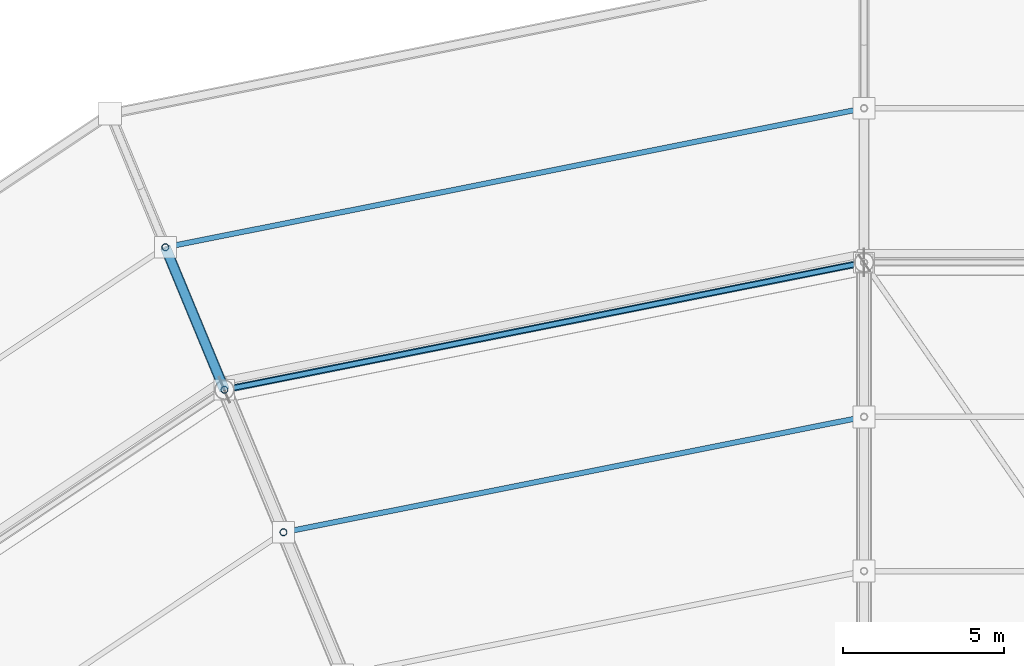
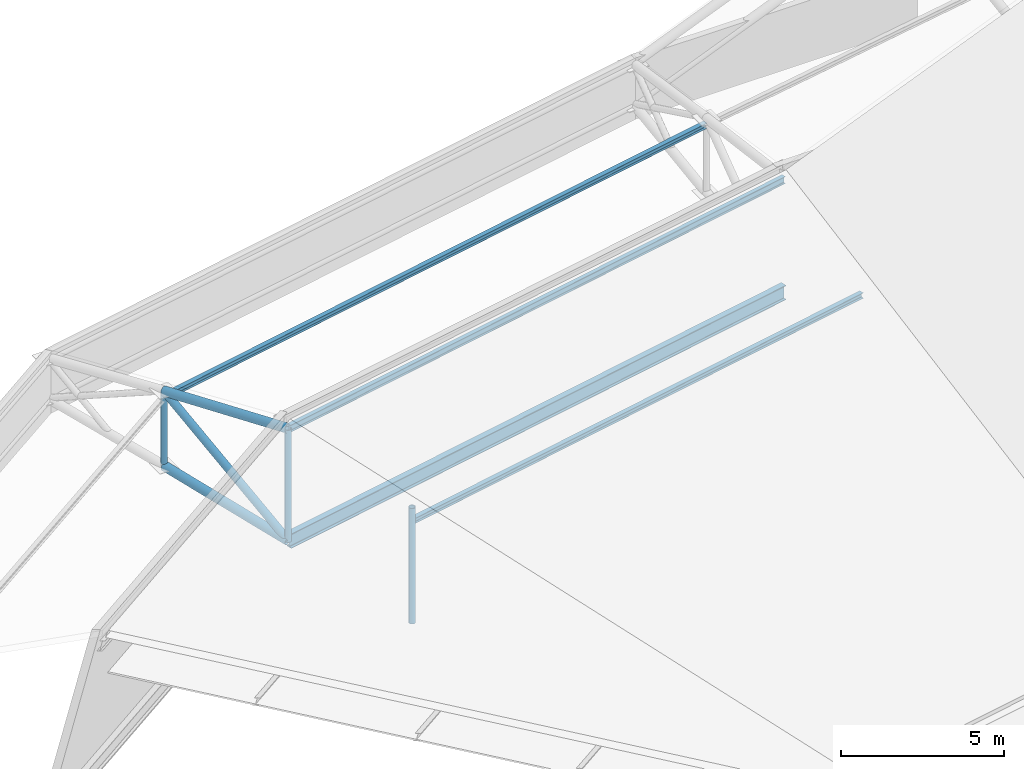
# One storey, part 89 of 146: 8 members, 2 beams.
"""IFC4 building model written with IfcOpenShell, lengths in metres."""

from ifc_helpers import new_model, si_unit, direction, frame, origin, origin_2d, place, context, subcontext, project, spatial, hollow_circle, i_section, extrude, material, material_profile, profile_set, type_object, element, save


model = new_model("IFC4")

# Units and contexts
model_context = context("Model", 3, precision=1e-05, world=origin(), true_north=direction((0.0, 1.0)))
body_context = subcontext(model_context, "Body", "Model", "MODEL_VIEW")
ifc_project = project(units=[si_unit("LENGTHUNIT", "METRE"), si_unit("AREAUNIT", "SQUARE_METRE"), si_unit("VOLUMEUNIT", "CUBIC_METRE"), si_unit("PLANEANGLEUNIT", "RADIAN"), si_unit("MASSUNIT", "GRAM", prefix="KILO")], contexts=[model_context])

# Site, building, storey
site_placement = place(None, origin())
site = spatial("IfcSite", under=ifc_project, at=site_placement, CompositionType="ELEMENT")
building_placement = place(site_placement, origin())
building = spatial("IfcBuilding", under=site, at=building_placement, Name="Candeia Ridge Stadium", CompositionType="ELEMENT")
storey_placement = place(building_placement, frame((0.0, 0.0, 31.800048828125)))
storey = spatial("IfcBuildingStorey", under=building, at=storey_placement, Name="RF", CompositionType="ELEMENT", Elevation=31.800048828125)

# Beams
ifc_material = material(Name="Steel ASTM A572 Grade 50", Category="steel")
ifc_material_profile_1 = material_profile(ifc_material, i_section(OverallWidth=0.14794921875, OverallDepth=0.26611328125, WebThickness=0.007568359375, FlangeThickness=0.012939453125, FilletRadius=0.010986328125, at=origin_2d()), Name="W250x44.8", Category="steel")
ifc_profile_set_1 = profile_set([ifc_material_profile_1], Name="Steel ASTM A572 Grade 50")
beam_type_1 = type_object("IfcBeamType", Name="Canopy Edge Spandrel W250x44.8", PredefinedType="SPANDREL", material=ifc_profile_set_1)
beam_1_placement = place(storey_placement, frame((70.960693359375, 146.9921875, 4.599853515625), z_axis=(-0.980785507788, -0.195089178874, 0.0), x_axis=(0.195089178874, -0.980785507788, 0.0)))
element("IfcBeam", 1, at=beam_1_placement, inside=storey, type_object=beam_type_1, Name="Roof crown cap ring beam bay 08", PredefinedType="SPANDREL", context=body_context, shape_type="SweptSolid", body=[
    extrude(i_section(OverallWidth=0.14794921875, OverallDepth=0.26611328125, WebThickness=0.007568359375, FlangeThickness=0.012939453125, FilletRadius=0.010986328125, at=origin_2d()), origin(), (0.0, 0.0, 1.0), 20.20947265625),
])
ifc_material_profile_2 = material_profile(ifc_material, i_section(OverallWidth=0.2119140625, OverallDepth=0.5439453125, WebThickness=0.01318359375, FlangeThickness=0.021240234375, FilletRadius=0.013916015625, at=origin_2d()), Name="W530x123", Category="steel")
ifc_profile_set_2 = profile_set([ifc_material_profile_2], Name="Steel ASTM A572 Grade 50")
beam_type_2 = type_object("IfcBeamType", Name="Roof Perimeter Ring Beam W530x123", PredefinedType="BEAM", material=ifc_profile_set_2)
beam_2_placement = place(storey_placement, frame((70.960693359375, 146.9921875, 0.39990234375), z_axis=(-0.980785507788, -0.195089178874, 0.0), x_axis=(0.195089178874, -0.980785507788, 0.0)))
element("IfcBeam", 2, at=beam_2_placement, inside=storey, type_object=beam_type_2, Name="Roof perimeter ring beam bay 08", PredefinedType="BEAM", context=body_context, shape_type="SweptSolid", body=[
    extrude(i_section(OverallWidth=0.2119140625, OverallDepth=0.5439453125, WebThickness=0.01318359375, FlangeThickness=0.021240234375, FilletRadius=0.013916015625, at=origin_2d()), origin(), (0.0, 0.0, 1.0), 20.20947265625),
])

# Members
ifc_material_profile_3 = material_profile(ifc_material, i_section(OverallWidth=0.1650390625, OverallDepth=0.200927734375, WebThickness=0.006103515625, FlangeThickness=0.01025390625, FilletRadius=0.010009765625, at=origin_2d()), Name="W200x35.9", Category="steel")
ifc_profile_set_3 = profile_set([ifc_material_profile_3], Name="Steel ASTM A572 Grade 50")
member_type_1 = type_object("IfcMemberType", Name="Roof Purlin W200x35.9", PredefinedType="PURLIN", material=ifc_profile_set_3)
member_1_placement = place(storey_placement, frame((70.950927734375, 142.190185546875, 3.19189453125), z_axis=(-0.980786730857, -0.19508302995, 0.0), x_axis=(0.19508302995, -0.980786730857, 0.0)))
element("IfcMember", 3, at=member_1_placement, inside=storey, type_object=member_type_1, Name="Saddle roof steel purlin bay 08-4", PredefinedType="PURLIN", context=body_context, shape_type="SweptSolid", body=[
    extrude(i_section(OverallWidth=0.1650390625, OverallDepth=0.200927734375, WebThickness=0.006103515625, FlangeThickness=0.01025390625, FilletRadius=0.010009765625, at=origin_2d()), origin(), (0.0, 0.0, 1.0), 18.31640625),
])
member_2_placement = place(storey_placement, frame((70.950927734375, 151.790283203125, 3.73828125), z_axis=(-0.980784861231, -0.195092429325, 0.0), x_axis=(0.195092429325, -0.980784861231, 0.0)))
element("IfcMember", 4, at=member_2_placement, inside=storey, type_object=member_type_1, Name="Saddle roof steel purlin bay 08-5", PredefinedType="PURLIN", context=body_context, shape_type="SweptSolid", body=[
    extrude(i_section(OverallWidth=0.1650390625, OverallDepth=0.200927734375, WebThickness=0.006103515625, FlangeThickness=0.01025390625, FilletRadius=0.010009765625, at=origin_2d()), origin(), (0.0, 0.0, 1.0), 22.062255859375),
])
ifc_material_profile_4 = material_profile(ifc_material, hollow_circle(Radius=0.161865234375, WallThickness=0.012451171875, at=origin_2d()), Name="CHS323x12", Category="steel")
ifc_profile_set_4 = profile_set([ifc_material_profile_4], Name="Steel ASTM A572 Grade 50")
member_type_2 = type_object("IfcMemberType", Name="Roof Truss Eaves Chord CHS323x12", PredefinedType="CHORD", material=ifc_profile_set_4)
member_3_placement = place(storey_placement, frame((51.100341796875, 143.041748046875, 4.599853515625), z_axis=(-0.379276360613, 0.915748479885, -0.132492127568), x_axis=(-0.923893471471, -0.382649779007, 0.0)))
element("IfcMember", 5, at=member_3_placement, inside=storey, type_object=member_type_2, Name="Roof cantilever truss RT-09 top chord 7", PredefinedType="CHORD", context=body_context, shape_type="SweptSolid", body=[
    extrude(hollow_circle(Radius=0.161865234375, WallThickness=0.012451171875, at=origin_2d()), origin(), (0.0, 0.0, 1.0), 4.842529296875),
])
member_4_placement = place(storey_placement, frame((51.100341796875, 143.041748046875, 0.39990234375), z_axis=(-0.378038852607, 0.91276056344, 0.154773317298), x_axis=(-0.923893471471, -0.382649779007, 0.0)))
element("IfcMember", 6, at=member_4_placement, inside=storey, type_object=member_type_2, Name="Roof cantilever truss RT-09 bottom chord 7", PredefinedType="CHORD", context=body_context, shape_type="SweptSolid", body=[
    extrude(hollow_circle(Radius=0.161865234375, WallThickness=0.012451171875, at=origin_2d()), origin(), (0.0, 0.0, 1.0), 4.8583984375),
])
ifc_material_profile_5 = material_profile(ifc_material, hollow_circle(Radius=0.136474609375, WallThickness=0.010009765625, at=origin_2d()), Name="CHS273x10", Category="steel")
ifc_profile_set_5 = profile_set([ifc_material_profile_5], Name="Steel ASTM A572 Grade 50")
member_type_3 = type_object("IfcMemberType", Name="Roof Truss Heavy Web Brace CHS273x10", PredefinedType="BRACE", material=ifc_profile_set_5)
member_5_placement = place(storey_placement, frame((51.100341796875, 143.041748046875, 0.39990234375), z_axis=(-0.307392467594, 0.742187529095, 0.595539706923), x_axis=(-0.923893471471, -0.382649779007, 0.0)))
element("IfcMember", 7, at=member_5_placement, inside=storey, type_object=member_type_3, Name="Roof cantilever truss RT-09 diagonal web 7", PredefinedType="BRACE", context=body_context, shape_type="SweptSolid", body=[
    extrude(hollow_circle(Radius=0.136474609375, WallThickness=0.010009765625, at=origin_2d()), origin(), (0.0, 0.0, 1.0), 5.97509765625),
])
ifc_material_profile_6 = material_profile(ifc_material, hollow_circle(Radius=0.109619140625, WallThickness=0.010009765625, at=origin_2d()), Name="CHS219x10", Category="steel")
ifc_profile_set_6 = profile_set([ifc_material_profile_6], Name="Steel ASTM A572 Grade 50")
member_type_4 = type_object("IfcMemberType", Name="Roof Truss Inner Web Brace CHS219x10", PredefinedType="BRACE", material=ifc_profile_set_6)
member_6_placement = place(storey_placement, frame((52.937255859375, 138.607177734375, -0.621337890625), z_axis=(0.0, 0.0, 1.0), x_axis=(1.0, 0.0, 0.0)))
element("IfcMember", 8, at=member_6_placement, inside=storey, type_object=member_type_4, Name="Roof cantilever truss RT-09 vertical post 5", PredefinedType="BRACE", context=body_context, shape_type="SweptSolid", body=[
    extrude(hollow_circle(Radius=0.109619140625, WallThickness=0.010009765625, at=origin_2d()), origin(), (0.0, 0.0, 1.0), 4.333251953125),
])
member_7_placement = place(storey_placement, frame((51.100341796875, 143.041748046875, 0.39990234375), z_axis=(0.0, 0.0, 1.0), x_axis=(1.0, 0.0, 0.0)))
element("IfcMember", 9, at=member_7_placement, inside=storey, type_object=member_type_4, Name="Roof cantilever truss RT-09 vertical post 6", PredefinedType="BRACE", context=body_context, shape_type="SweptSolid", body=[
    extrude(hollow_circle(Radius=0.109619140625, WallThickness=0.010009765625, at=origin_2d()), origin(), (0.0, 0.0, 1.0), 4.199951171875),
])
member_8_placement = place(storey_placement, frame((49.263671875, 147.476318359375, 1.15185546875), z_axis=(0.0, 0.0, 1.0), x_axis=(1.0, 0.0, 0.0)))
element("IfcMember", 10, at=member_8_placement, inside=storey, type_object=member_type_4, Name="Roof cantilever truss RT-09 vertical post 7", PredefinedType="BRACE", context=body_context, shape_type="SweptSolid", body=[
    extrude(hollow_circle(Radius=0.109619140625, WallThickness=0.010009765625, at=origin_2d()), origin(), (0.0, 0.0, 1.0), 2.806396484375),
])

save(model, "model.ifc")
